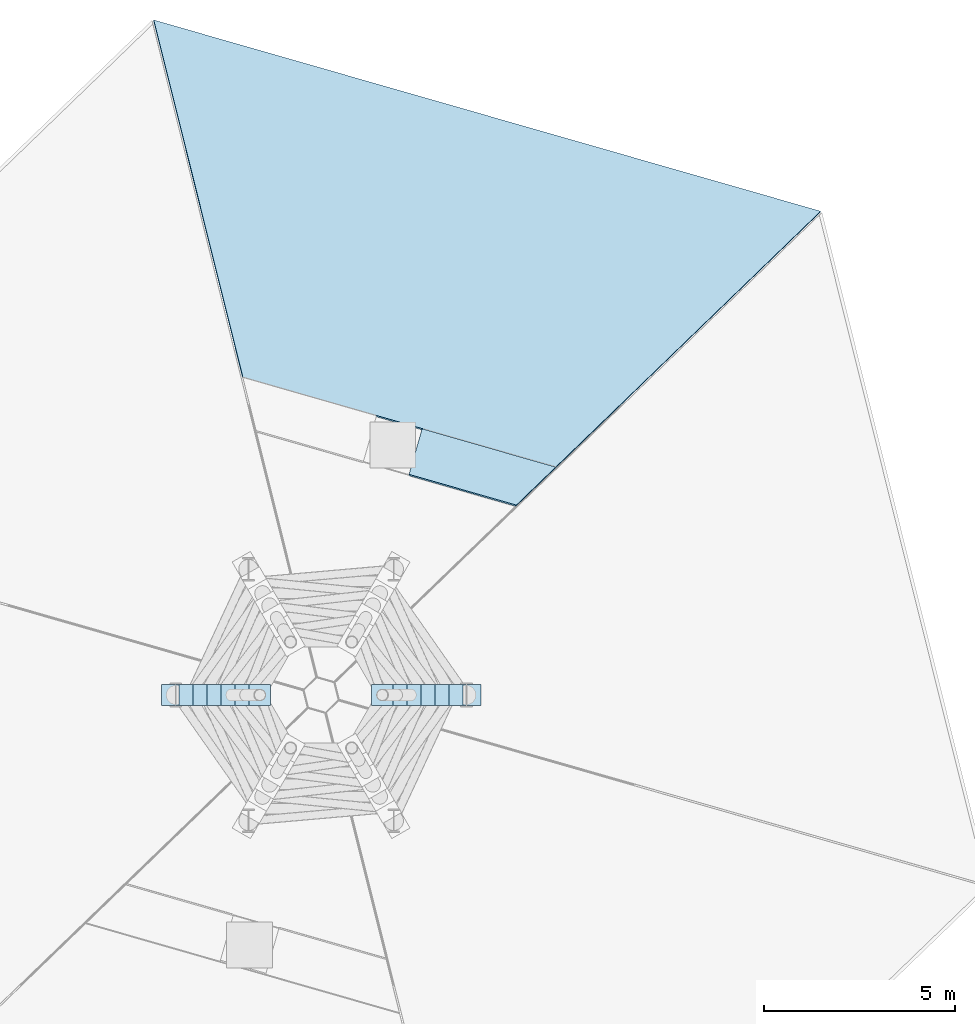
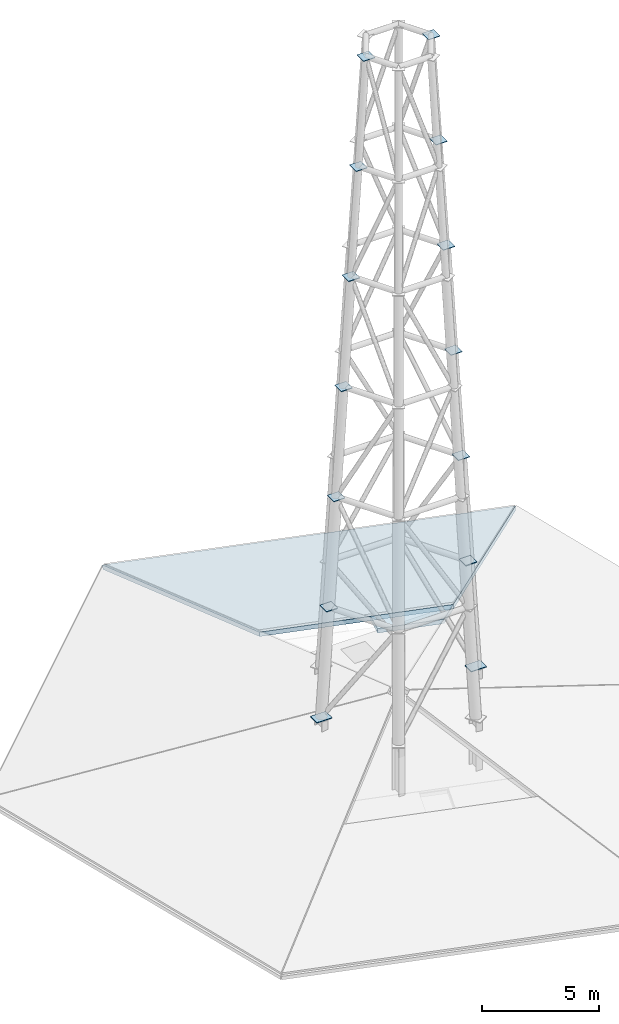
# One storey, part 3 of 4: 14 plates, 2 slabs.
"""IFC4 building model written with IfcOpenShell, lengths in metres."""

from ifc_helpers import new_model, si_unit, direction, frame, origin, origin_2d, place, context, subcontext, project, spatial, polyline, rectangle, outline, extrude, material, layer, layer_set, type_object, element, save


model = new_model("IFC4")

# Units and contexts
model_context = context("Model", 3, precision=1e-05, world=origin(), true_north=direction((0.0, 1.0)))
body_context = subcontext(model_context, "Body", "Model", "MODEL_VIEW")
ifc_project = project(units=[si_unit("LENGTHUNIT", "METRE"), si_unit("AREAUNIT", "SQUARE_METRE"), si_unit("VOLUMEUNIT", "CUBIC_METRE"), si_unit("PLANEANGLEUNIT", "RADIAN"), si_unit("MASSUNIT", "GRAM", prefix="KILO")], contexts=[model_context])

# Site, building, storey
site_placement = place(None, origin())
site = spatial("IfcSite", under=ifc_project, at=site_placement, CompositionType="ELEMENT")
building_placement = place(site_placement, origin())
building = spatial("IfcBuilding", under=site, at=building_placement, Name="Kranzbogen Civic Tower", CompositionType="ELEMENT")
storey_placement = place(building_placement, frame((0.0, 0.0, 327.0)))
storey = spatial("IfcBuildingStorey", under=building, at=storey_placement, Name="Roof Crown", CompositionType="ELEMENT", Elevation=327.0)

# Plates
ifc_material_1 = material(Name="Steel S355", Category="steel")
ifc_layer_1 = layer(ifc_material_1, 0.0400390625, Name="Steel S355")
ifc_layer_set_1 = layer_set([ifc_layer_1], Name="Steel S355")
plate_type_1 = type_object("IfcPlateType", Name="Broadcast Mast Anchor Base Plate 750x550x40", PredefinedType="USERDEFINED", material=ifc_layer_set_1)
for number, where, z_axis, x_axis, name in (
    (1, (28.800048828125, 25.0, 2.550048828125), (0.0, 0.0, 1.0), (1.0, 0.0, 0.0), "Broadcast Mast leg 1 anchor base plate"),
    (2, (21.199951171875, 25.0, 2.550048828125), (0.0, 0.0, 1.0), (-1.0, 0.0, 0.0), "Broadcast Mast leg 4 anchor base plate"),
):
    element("IfcPlate", number, at=place(storey_placement, frame(where, z_axis=z_axis, x_axis=x_axis)), inside=storey, type_object=plate_type_1, Name=name, ObjectType="BASE_PLATE", PredefinedType="USERDEFINED", context=body_context, shape_type="SweptSolid", body=[
        extrude(rectangle(XDim=0.75, YDim=0.550048828125, at=origin_2d()), origin(), (0.0, 0.0, 1.0), 0.0400390625),
    ])

# Slabs
ifc_material_2 = material(Name="Concrete C40/50", Category="concrete")
ifc_layer_2 = layer(ifc_material_2, 0.2099609375, Name="Concrete C40/50")
ifc_layer_set_2 = layer_set([ifc_layer_2], Name="Concrete C40/50")
slab_type = type_object("IfcSlabType", Name="Crown Drum Sloped Roof Slab 210 mm", PredefinedType="ROOF", material=ifc_layer_set_2)
slab_1_placement = place(storey_placement, frame((38.06396484375, 37.65087890625, 0.0), z_axis=(0.044031352154, 0.153573478576, 0.987155725661), x_axis=(-0.961269636768, 0.275609661346, -3.36857e-07)))
element("IfcSlab", 3, at=slab_1_placement, inside=storey, type_object=slab_type, Name="Roof Crown sloped structural roof facet 6A", PredefinedType="ROOF", context=body_context, shape_type="SweptSolid", body=[
    extrude(outline(polyline([(0.0, 0.0), (18.141595707696446, 0.0), (13.328549467288884, 8.444649724891823), (4.812962229563564, 8.444593518093008), (0.0, 0.0)])), origin(), (0.0, 0.0, -1.0), 0.2099609375),
])
slab_2_placement = place(storey_placement, frame((31.135009765625, 30.9599609375, 1.35009765625), z_axis=(0.043884835713, 0.153006931595, 0.987250221615), x_axis=(-0.961254530715, 0.275662342623, 6.328647e-06)))
element("IfcSlab", 4, at=slab_2_placement, inside=storey, type_object=slab_type, Name="Roof Crown sloped structural roof facet 6C", PredefinedType="ROOF", context=body_context, shape_type="SweptSolid", body=[
    extrude(outline(polyline([(0.0, 0.0), (3.634724571089585, -1.1102230246251565e-16), (3.6349538738261415, 1.2560195253279272), (0.715872559096616, 1.2562800967709842), (0.0, 0.0)])), origin(), (0.0, 0.0, -1.0), 0.2099609375),
])

# Plates
ifc_layer_3 = layer(ifc_material_1, 0.02490234375, Name="Steel S355")
ifc_layer_set_3 = layer_set([ifc_layer_3], Name="Steel S355")
plate_type_2 = type_object("IfcPlateType", Name="Hollow Section Sealed End Cap Plate 440x440x25", PredefinedType="SHEET", material=ifc_layer_set_3)
for number, where, z_axis, x_axis, name in (
    (5, (28.43310546875, 25.0, 8.1767578125), (0.0, 0.0, 1.0), (1.0, 0.0, 0.0), "Broadcast Mast tier 1 node 1 sealed plate"),
    (6, (21.56689453125, 25.0, 8.1767578125), (0.0, 0.0, 1.0), (-1.0, 0.0, 0.0), "Broadcast Mast tier 1 node 4 sealed plate"),
    (7, (28.06689453125, 25.0, 13.77783203125), (0.0, 0.0, 1.0), (1.0, 0.0, 0.0), "Broadcast Mast tier 2 node 1 sealed plate"),
    (8, (21.93310546875, 25.0, 13.77783203125), (0.0, 0.0, 1.0), (-1.0, 0.0, 0.0), "Broadcast Mast tier 2 node 4 sealed plate"),
    (9, (27.699951171875, 25.0, 19.3798828125), (0.0, 0.0, 1.0), (1.0, 0.0, 0.0), "Broadcast Mast tier 3 node 1 sealed plate"),
    (10, (22.300048828125, 25.0, 19.3798828125), (0.0, 0.0, 1.0), (-1.0, 0.0, 0.0), "Broadcast Mast tier 3 node 4 sealed plate"),
    (11, (27.3330078125, 25.0, 24.98193359375), (0.0, 0.0, 1.0), (1.0, 0.0, 0.0), "Broadcast Mast tier 4 node 1 sealed plate"),
    (12, (22.6669921875, 25.0, 24.98193359375), (0.0, 0.0, 1.0), (-1.0, 0.0, 0.0), "Broadcast Mast tier 4 node 4 sealed plate"),
    (13, (26.967041015625, 25.0, 30.5830078125), (0.0, 0.0, 1.0), (1.0, 0.0, 0.0), "Broadcast Mast tier 5 node 1 sealed plate"),
    (14, (23.032958984375, 25.0, 30.5830078125), (0.0, 0.0, 1.0), (-1.0, 0.0, 0.0), "Broadcast Mast tier 5 node 4 sealed plate"),
    (15, (26.60009765625, 25.0, 36.18505859375), (0.0, 0.0, 1.0), (1.0, 0.0, 0.0), "Broadcast Mast tier 6 node 1 sealed plate"),
    (16, (23.39990234375, 25.0, 36.18505859375), (0.0, 0.0, 1.0), (-1.0, 0.0, 0.0), "Broadcast Mast tier 6 node 4 sealed plate"),
):
    element("IfcPlate", number, at=place(storey_placement, frame(where, z_axis=z_axis, x_axis=x_axis)), inside=storey, type_object=plate_type_2, Name=name, PredefinedType="SHEET", context=body_context, shape_type="SweptSolid", body=[
        extrude(rectangle(XDim=0.56005859375, YDim=0.56005859375, at=origin_2d()), origin(), (0.0, 0.0, 1.0), 0.030029296875),
    ])

save(model, "model.ifc")
